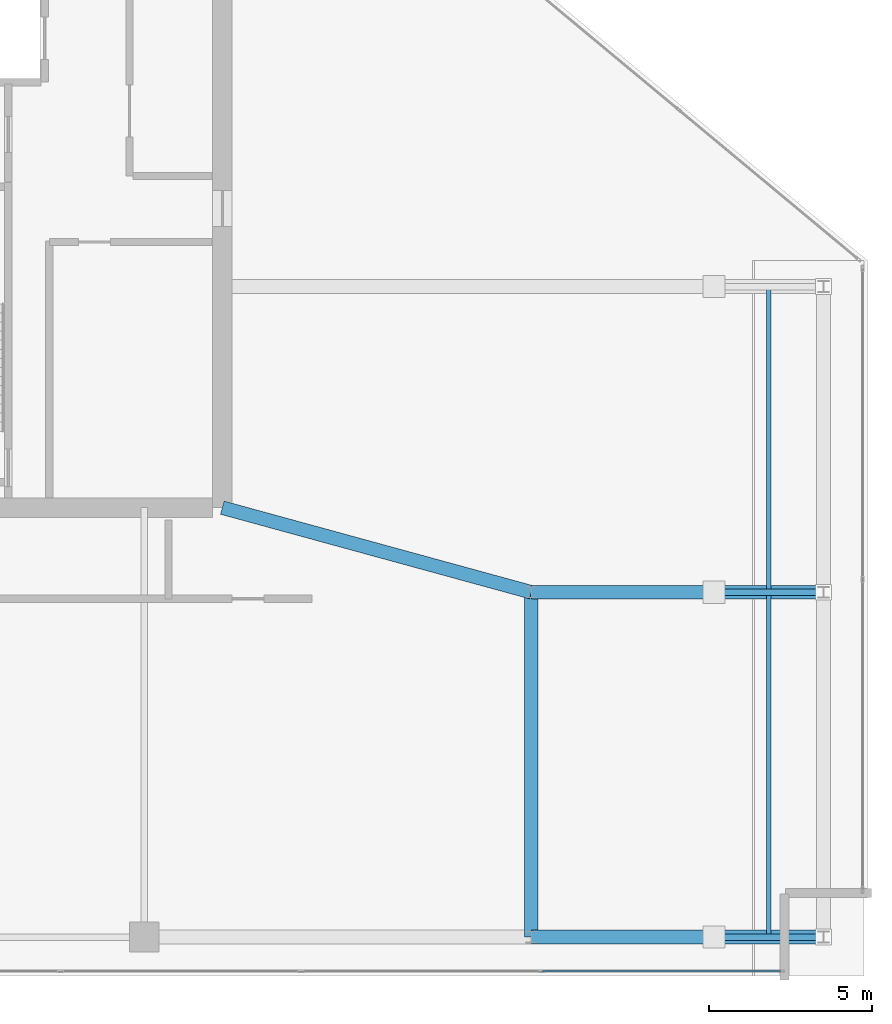
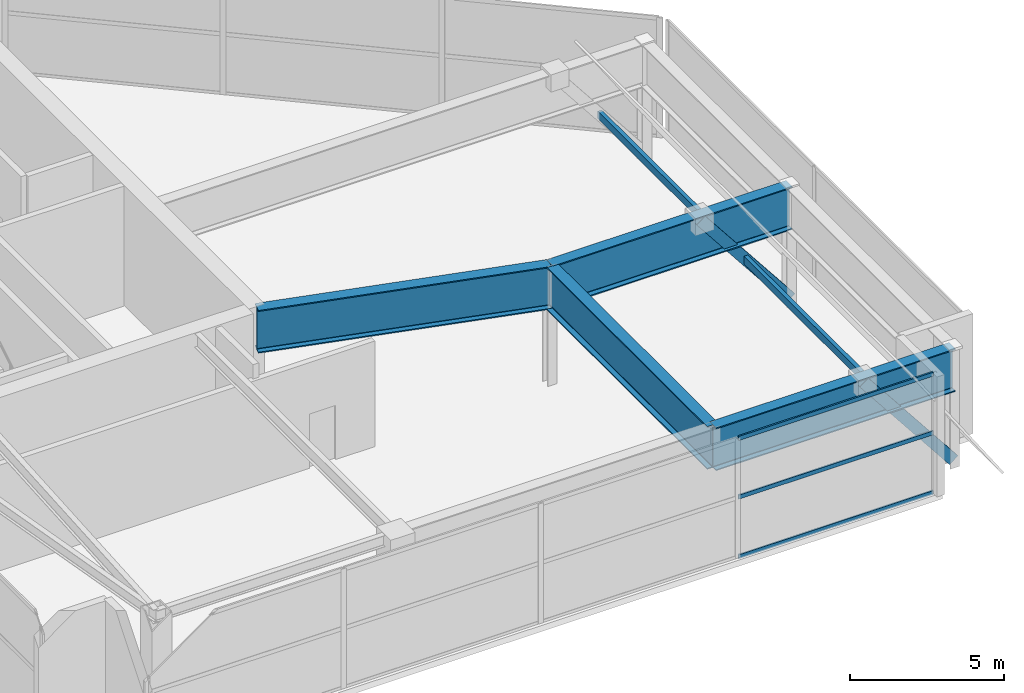
# One storey, part 8 of 21: 6 beams, 4 members, 1 element without a shape of its own.
"""IFC4 building model written with IfcOpenShell, lengths in metres."""

from ifc_helpers import new_model, si_unit, direction, frame, origin, origin_2d, place, context, subcontext, project, spatial, hollow_rectangle, i_section, extrude, material, layer, layer_set, material_profile, profile_set, type_object, element, aggregate, save


model = new_model("IFC4")

# Units and contexts
model_context = context("Model", 3, precision=1e-05, world=origin(), true_north=direction((0.0, 1.0)))
body_context = subcontext(model_context, "Body", "Model", "MODEL_VIEW")
ifc_project = project(units=[si_unit("LENGTHUNIT", "METRE"), si_unit("AREAUNIT", "SQUARE_METRE"), si_unit("VOLUMEUNIT", "CUBIC_METRE"), si_unit("PLANEANGLEUNIT", "RADIAN"), si_unit("MASSUNIT", "GRAM", prefix="KILO")], contexts=[model_context])

# Site, building, storey
site_placement = place(None, origin())
site = spatial("IfcSite", under=ifc_project, at=site_placement, CompositionType="ELEMENT")
building_placement = place(site_placement, origin())
building = spatial("IfcBuilding", under=site, at=building_placement, Name="Calvorn Quay Hotel", CompositionType="ELEMENT")
storey_placement = place(building_placement, frame((0.0, 0.0, 320.5)))
storey = spatial("IfcBuildingStorey", under=building, at=storey_placement, Name="L79", CompositionType="ELEMENT", Elevation=320.5)

# Beams
ifc_material_1 = material(Name="Steel Q355B", Category="steel")
ifc_material_profile_1 = material_profile(ifc_material_1, hollow_rectangle(XDim=0.199951171875, YDim=0.39990234375, WallThickness=0.013916015625, at=origin_2d()), Name="RHS400x200x14")
ifc_profile_set_1 = profile_set([ifc_material_profile_1], Name="Steel Q355B")
beam_type_1 = type_object("IfcBeamType", Name="BM-CRN-RAFTER", PredefinedType="BEAM", material=ifc_profile_set_1)
for number, where, z_axis, x_axis, name in (
    (1, (33.48291015625, 3.60009765625, 0.25), (-0.619962077242, 0.0, 0.784631775281), (0.0, -1.0, 0.0), "Crown Raking Rafter L79-1"),
    (2, (33.48291015625, 14.199951171875, 0.25), (-0.619962077242, 0.0, 0.784631775281), (0.0, -1.0, 0.0), "Crown Raking Rafter L79-2"),
):
    element("IfcBeam", number, at=place(storey_placement, frame(where, z_axis=z_axis, x_axis=x_axis)), inside=storey, type_object=beam_type_1, Name=name, PredefinedType="BEAM", context=body_context, shape_type="SweptSolid", body=[
        extrude(hollow_rectangle(XDim=0.199951171875, YDim=0.39990234375, WallThickness=0.013916015625, at=origin_2d()), origin(), (0.0, 0.0, 1.0), 5.42919921875),
    ])
ifc_material_2 = material(Name="Steel Q420GJC", Category="steel")
ifc_material_profile_2 = material_profile(ifc_material_2, i_section(OverallWidth=0.419921875, OverallDepth=1.699951171875, WebThickness=0.02392578125, FlangeThickness=0.0419921875, FilletRadius=0.02392578125, at=origin_2d()), Name="HN1700x420x24x42")
ifc_profile_set_2 = profile_set([ifc_material_profile_2], Name="Steel Q420GJC")
beam_type_2 = type_object("IfcBeamType", Name="BM-XFER-SAWTOOTH", PredefinedType="BEAM", material=ifc_profile_set_2)
beam_1_placement = place(storey_placement, frame((24.5, 3.60009765625, 3.889892578125), z_axis=(1.0, 0.0, 0.0), x_axis=(0.0, 1.0, 0.0)))
element("IfcBeam", 3, at=beam_1_placement, inside=storey, type_object=beam_type_2, Name="Beam BTG-L79-C-CR1B", PredefinedType="BEAM", context=body_context, shape_type="SweptSolid", body=[
    extrude(i_section(OverallWidth=0.419921875, OverallDepth=1.699951171875, WebThickness=0.02392578125, FlangeThickness=0.0419921875, FilletRadius=0.02392578125, at=origin_2d()), origin(), (0.0, 0.0, 1.0), 8.98291015625),
])
beam_2_placement = place(storey_placement, frame((15.0, 16.800048828125, 3.889892578125), z_axis=(0.964526615642, -0.263985620286, 0.0), x_axis=(0.263985620286, 0.964526615642, 0.0)))
element("IfcBeam", 4, at=beam_2_placement, inside=storey, type_object=beam_type_2, Name="Beam BTG-L79-C-CR2A", PredefinedType="BEAM", context=body_context, shape_type="SweptSolid", body=[
    extrude(i_section(OverallWidth=0.419921875, OverallDepth=1.699951171875, WebThickness=0.02392578125, FlangeThickness=0.0419921875, FilletRadius=0.02392578125, at=origin_2d()), origin(), (0.0, 0.0, 1.0), 9.849365234375),
])
beam_3_placement = place(storey_placement, frame((24.5, 14.199951171875, 3.889892578125), z_axis=(1.0, 0.0, 0.0), x_axis=(0.0, 1.0, 0.0)))
element("IfcBeam", 5, at=beam_3_placement, inside=storey, type_object=beam_type_2, Name="Beam BTG-L79-C-CR2B", PredefinedType="BEAM", context=body_context, shape_type="SweptSolid", body=[
    extrude(i_section(OverallWidth=0.419921875, OverallDepth=1.699951171875, WebThickness=0.02392578125, FlangeThickness=0.0419921875, FilletRadius=0.02392578125, at=origin_2d()), origin(), (0.0, 0.0, 1.0), 8.98291015625),
])
beam_4_placement = place(storey_placement, frame((24.5, 3.60009765625, 3.889892578125), z_axis=(0.0, 1.0, 0.0), x_axis=(-1.0, 0.0, 0.0)))
element("IfcBeam", 6, at=beam_4_placement, inside=storey, type_object=beam_type_2, Name="Beam BTG-L79-CEM", PredefinedType="BEAM", context=body_context, shape_type="SweptSolid", body=[
    extrude(i_section(OverallWidth=0.419921875, OverallDepth=1.699951171875, WebThickness=0.02392578125, FlangeThickness=0.0419921875, FilletRadius=0.02392578125, at=origin_2d()), origin(), (0.0, 0.0, 1.0), 10.599853515625),
])

# Curtain wall, members
ifc_material_3 = material(Name="Pale Anodised Aluminium and Laminated Glass", Category="aluminium")
ifc_layer = layer(ifc_material_3, 0.219970703125)
ifc_layer_set = layer_set([ifc_layer], Name="CW-SYS-CRN")
curtain_wall_type = type_object("IfcCurtainWallType", Name="CW-SYS-CRN", PredefinedType="NOTDEFINED", material=ifc_layer_set)
curtain_wall_placement = place(storey_placement, origin())
curtain_wall = element("IfcCurtainWall", 7, at=curtain_wall_placement, inside=storey, type_object=curtain_wall_type, Name="Crown Curtain Wall L79-C1", PredefinedType="NOTDEFINED")
ifc_material_4 = material(Name="Pale Anodised Aluminium 6063-T6", Category="aluminium")
ifc_material_profile_3 = material_profile(ifc_material_4, hollow_rectangle(XDim=0.06201171875, YDim=0.159912109375, WallThickness=0.00341796875, at=origin_2d()), Name="ALU-T160x62x3.5")
ifc_profile_set_3 = profile_set([ifc_material_profile_3], Name="Pale Anodised Aluminium 6063-T6")
member_type_1 = type_object("IfcMemberType", Name="CW-SYS-CRN-TRN", PredefinedType="USERDEFINED", material=ifc_profile_set_3)
member_1_placement = place(storey_placement, frame((24.8447265625, 2.550048828125, 0.030029296875), z_axis=(1.0, 0.0, 0.0), x_axis=(0.0, 1.0, 0.0)))
member_1 = element("IfcMember", 8, at=member_1_placement, type_object=member_type_1, Name="CW-L79-C1 transom 4.1", ObjectType="TRANSOM", PredefinedType="USERDEFINED", context=body_context, shape_type="SweptSolid", body=[
    extrude(hollow_rectangle(XDim=0.06201171875, YDim=0.159912109375, WallThickness=0.00341796875, at=origin_2d()), origin(), (0.0, 0.0, 1.0), 7.308349609375),
])
member_2_placement = place(storey_placement, frame((24.8447265625, 2.550048828125, 2.39990234375), z_axis=(1.0, 0.0, 0.0), x_axis=(0.0, 1.0, 0.0)))
member_2 = element("IfcMember", 9, at=member_2_placement, type_object=member_type_1, Name="CW-L79-C1 transom 4.2", ObjectType="TRANSOM", PredefinedType="USERDEFINED", context=body_context, shape_type="SweptSolid", body=[
    extrude(hollow_rectangle(XDim=0.06201171875, YDim=0.159912109375, WallThickness=0.00341796875, at=origin_2d()), origin(), (0.0, 0.0, 1.0), 7.308349609375),
])
member_3_placement = place(storey_placement, frame((24.8447265625, 2.550048828125, 4.72998046875), z_axis=(1.0, 0.0, 0.0), x_axis=(0.0, 1.0, 0.0)))
member_3 = element("IfcMember", 10, at=member_3_placement, type_object=member_type_1, Name="CW-L79-C1 transom 4.3", ObjectType="TRANSOM", PredefinedType="USERDEFINED", context=body_context, shape_type="SweptSolid", body=[
    extrude(hollow_rectangle(XDim=0.06201171875, YDim=0.159912109375, WallThickness=0.00341796875, at=origin_2d()), origin(), (0.0, 0.0, 1.0), 7.308349609375),
])
aggregate(curtain_wall, [member_1, member_2, member_3])

# Member
ifc_material_5 = material(Name="Steel Q355B", Category="steel")
ifc_material_profile_4 = material_profile(ifc_material_5, hollow_rectangle(XDim=0.14990234375, YDim=0.300048828125, WallThickness=0.010009765625, at=origin_2d()), Name="RHS300x150x10")
ifc_profile_set_4 = profile_set([ifc_material_profile_4], Name="Steel Q355B")
member_type_2 = type_object("IfcMemberType", Name="MEM-CRN-PURLIN1", PredefinedType="PURLIN", material=ifc_profile_set_4)
member_4_placement = place(storey_placement, frame((31.800048828125, 3.60009765625, 2.3798828125), z_axis=(0.0, 1.0, 0.0), x_axis=(-1.0, 0.0, 0.0)))
element("IfcMember", 11, at=member_4_placement, inside=storey, type_object=member_type_2, Name="Crown Slanted Purlin L79-1", PredefinedType="PURLIN", context=body_context, shape_type="SweptSolid", body=[
    extrude(hollow_rectangle(XDim=0.14990234375, YDim=0.300048828125, WallThickness=0.010009765625, at=origin_2d()), origin(), (0.0, 0.0, 1.0), 20.0),
])

save(model, "model.ifc")
